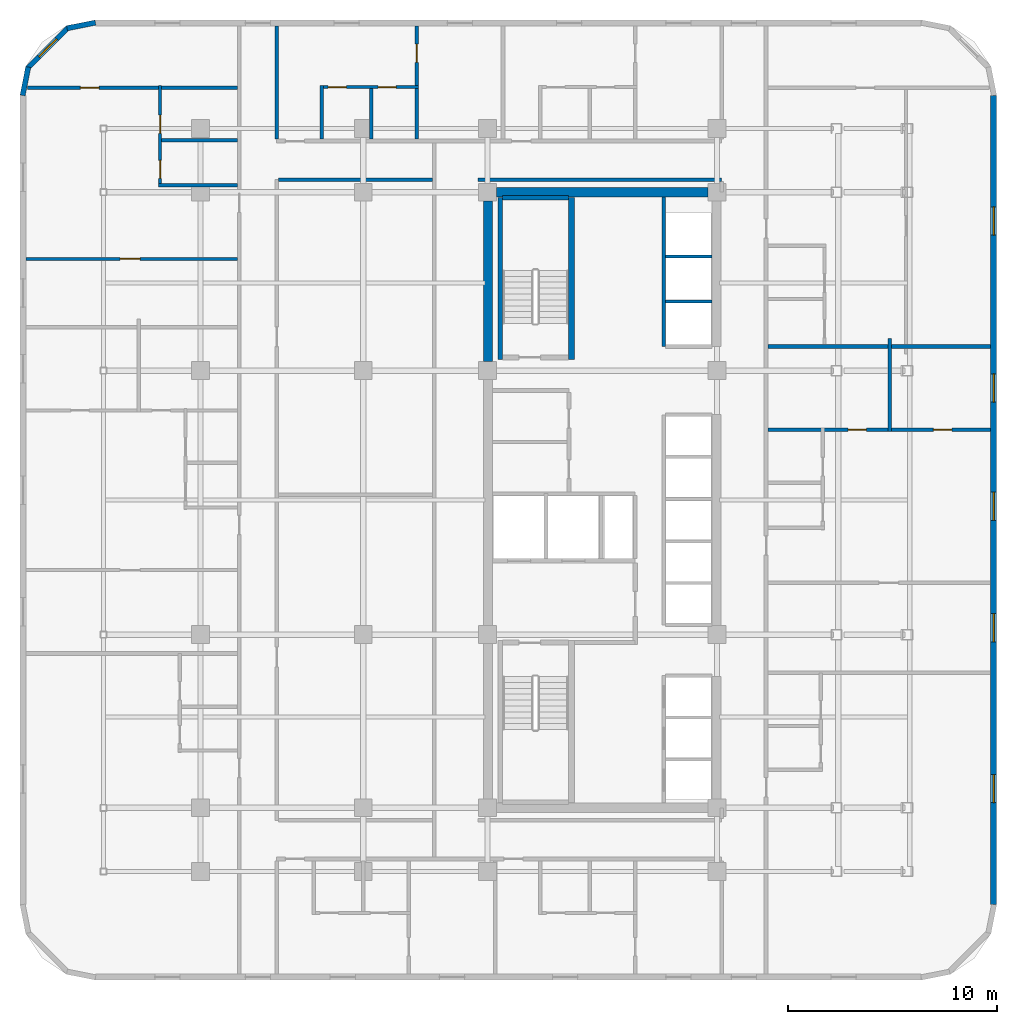
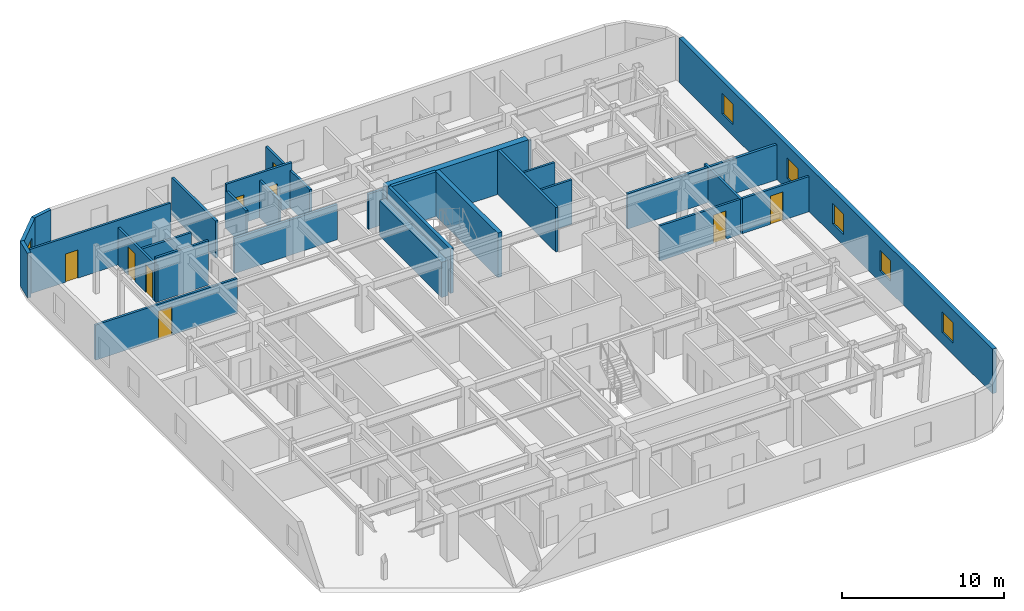
# One storey, part 9 of 12: 27 walls, 9 doors, 6 windows, 15 openings.
"""IFC4 building model written with IfcOpenShell, lengths in metres."""

import ifcopenshell
import ifcopenshell.guid

model = None  # the IFC model being written
_history = None  # IfcOwnerHistory: only IFC2X3 demands one
_inside = {}  # id of a spatial element -> (the spatial element, [elements in it])
_under = {}  # id of a project, library or spatial element -> (it, [spatial elements below it])
_declared = {}  # id of a project -> (the project, [libraries it declares])
_typed = {}  # id of a type object -> (the type object, [elements of that type])
_made_of = {}  # id of a material, layer set ... -> (it, [elements and type objects made of it])


def new_model(schema):
    """Start an empty IFC model of exactly this schema.

    Asked for "IFC4X3", IfcOpenShell would pick the latest addendum, in which some entities
    have other attributes; the version numbers below select the first issue.
    IFC2X3 requires an IfcOwnerHistory on every rooted entity: one is made here for all.
    """
    global model, _history
    if schema == "IFC4X3":
        model = ifcopenshell.file(schema_version=(4, 3, 0, 0))
    else:
        model = ifcopenshell.file(schema=schema)
    _inside.clear()
    _under.clear()
    _declared.clear()
    _typed.clear()
    _made_of.clear()
    _history = None
    if model.schema == "IFC2X3":
        org = make("IfcOrganization", Name="unknown")
        user = make(
            "IfcPersonAndOrganization",
            ThePerson=make("IfcPerson", FamilyName="unknown"),
            TheOrganization=org,
        )
        app = make(
            "IfcApplication",
            ApplicationDeveloper=org,
            Version="unknown",
            ApplicationFullName="unknown",
            ApplicationIdentifier="unknown",
        )
        _history = make(
            "IfcOwnerHistory",
            OwningUser=user,
            OwningApplication=app,
            ChangeAction="ADDED",
            CreationDate=0,
        )
    return model


def make(cls, **values):
    """One entity of the class cls with the attributes given. An attribute that is None is left unset."""
    return model.create_entity(
        cls, **{name: value for name, value in values.items() if value is not None}
    )


def rooted(cls, **values):
    """An entity with a GlobalId (a new one), such as an element, a storey or a relation."""
    return make(cls, GlobalId=ifcopenshell.guid.new(), OwnerHistory=_history, **values)


def si_unit(unit_type, name, prefix=None):
    """IfcSIUnit, for example si_unit("LENGTHUNIT", "METRE", prefix="MILLI")."""
    return make("IfcSIUnit", UnitType=unit_type, Prefix=prefix, Name=name)


def assignment(units):
    """IfcUnitAssignment: the units of a project."""
    return None if units is None else make("IfcUnitAssignment", Units=units)


def point(xyz):
    """IfcCartesianPoint."""
    return None if xyz is None else make("IfcCartesianPoint", Coordinates=xyz)


def direction(xyz):
    """IfcDirection."""
    return None if xyz is None else make("IfcDirection", DirectionRatios=xyz)


def frame(location, z_axis=None, x_axis=None):
    """IfcAxis2Placement3D, a coordinate frame: its origin and axes. An axis left out is left unset."""
    return make(
        "IfcAxis2Placement3D",
        Location=point(location),
        Axis=direction(z_axis),
        RefDirection=direction(x_axis),
    )


def frame_2d(location, x_axis=None):
    """IfcAxis2Placement2D, a coordinate frame in the plane: its origin and x axis."""
    return make(
        "IfcAxis2Placement2D", Location=point(location), RefDirection=direction(x_axis)
    )


def origin():
    """The frame at (0, 0, 0) with its axes left unset."""
    return frame((0.0, 0.0, 0.0))


def place(relative_to, where):
    """IfcLocalPlacement: puts the frame where relative to a parent placement (None: the world)."""
    return make(
        "IfcLocalPlacement", PlacementRelTo=relative_to, RelativePlacement=where
    )


def context(
    kind, dimensions, precision=None, world=None, true_north=None, identifier=None
):
    """IfcGeometricRepresentationContext, for example the 3D "Model" context."""
    return make(
        "IfcGeometricRepresentationContext",
        ContextIdentifier=identifier,
        ContextType=kind,
        CoordinateSpaceDimension=dimensions,
        Precision=precision,
        WorldCoordinateSystem=world,
        TrueNorth=true_north,
    )


def subcontext(parent, identifier, kind, view, scale=None):
    """IfcGeometricRepresentationSubContext, for example "Body" below "Model"."""
    return make(
        "IfcGeometricRepresentationSubContext",
        ContextIdentifier=identifier,
        ContextType=kind,
        ParentContext=parent,
        TargetScale=scale,
        TargetView=view,
    )


def project(units=None, contexts=None):
    """IfcProject with its units and contexts."""
    return rooted(
        "IfcProject",
        Name="project",
        RepresentationContexts=contexts,
        UnitsInContext=assignment(units),
    )


def spatial(cls, under=None, at=None, **own):
    """A site, building, storey or space (cls), placed at a placement, below another one or the project."""
    s = rooted(cls, ObjectPlacement=at, **own)
    if under is not None:
        _under.setdefault(under.id(), (under, []))[1].append(s)
    return s


def profile(cls, at=None, kind="AREA", **sizes):
    """A parametric profile (cls). Its sizes go by their IFC names, for example OverallWidth=200.0."""
    return make(cls, ProfileType=kind, Position=at, **sizes)


def rectangle(**sizes):
    """IfcRectangleProfileDef."""
    return profile("IfcRectangleProfileDef", **sizes)


def extrude(swept, where, along, depth):
    """IfcExtrudedAreaSolid: the profile swept, set in the frame where, extruded along a direction by depth."""
    return make(
        "IfcExtrudedAreaSolid",
        SweptArea=swept,
        Position=where,
        ExtrudedDirection=direction(along),
        Depth=depth,
    )


def shape(context_of_items, identifier, shape_type, items):
    """IfcShapeRepresentation: the items that make up one representation, for example the "Body"."""
    return make(
        "IfcShapeRepresentation",
        ContextOfItems=context_of_items,
        RepresentationIdentifier=identifier,
        RepresentationType=shape_type,
        Items=items,
    )


def material(Name=None, Category=None):
    """IfcMaterial."""
    return make("IfcMaterial", Name=Name, Category=Category)


def layer(
    of_material, thickness, ventilated=None, Name=None, Category=None, Priority=None
):
    """IfcMaterialLayer: one layer of a wall or slab, of a material (None: an air gap)."""
    return make(
        "IfcMaterialLayer",
        Material=of_material,
        LayerThickness=thickness,
        IsVentilated=ventilated,
        Name=Name,
        Category=Category,
        Priority=Priority,
    )


def layer_set(layers, Name=None):
    """IfcMaterialLayerSet."""
    return make("IfcMaterialLayerSet", MaterialLayers=layers, LayerSetName=Name)


def made_of(thing, what):
    """Note that an element or type object is made of a material, layer set ...; save() writes the relation."""
    if what is not None:
        _made_of.setdefault(what.id(), (what, []))[1].append(thing)
    return thing


def type_object(cls, material=None, **own):
    """A type object (cls), such as IfcWallType, which elements share."""
    return made_of(rooted(cls, **own), material)


def element(
    cls,
    number,
    at=None,
    inside=None,
    cuts=None,
    type_object=None,
    material=None,
    context=None,
    identifier="Body",
    shape_type=None,
    held_by="IfcProductDefinitionShape",
    body=None,
    shapes=None,
    **own,
):
    """One element of the class cls, such as IfcWall. Its Tag is "e" and its number.

    at: its placement. inside: the storey or other place that contains it. cuts: it is an
    opening in that element (IfcRelVoidsElement). A single representation is given by context,
    identifier, shape_type and body (its items); several are given by shapes. held_by: the class
    of the entity that holds the representations. save() writes the other relations.
    """
    e = rooted(cls, Tag="e%d" % number, ObjectPlacement=at, **own)
    if body is not None:
        shapes = [shape(context, identifier, shape_type, body)]
    if shapes is not None:
        e.Representation = make(held_by, Representations=shapes)
    if inside is not None:
        _inside.setdefault(inside.id(), (inside, []))[1].append(e)
    if cuts is not None:
        rooted(
            "IfcRelVoidsElement", RelatingBuildingElement=cuts, RelatedOpeningElement=e
        )
    if type_object is not None:
        _typed.setdefault(type_object.id(), (type_object, []))[1].append(e)
    return made_of(e, material)


def fill(opening, filler):
    """IfcRelFillsElement: the door or window that sits in an opening."""
    return rooted(
        "IfcRelFillsElement",
        RelatingOpeningElement=opening,
        RelatedBuildingElement=filler,
    )


def aggregate(whole, parts):
    """IfcRelAggregates: a whole, such as a stair, and the parts it consists of."""
    return rooted("IfcRelAggregates", RelatingObject=whole, RelatedObjects=parts)


def save(model, path):
    """Write the relations noted so far, then the file.

    IfcRelAggregates (storeys below a building ...), IfcRelContainedInSpatialStructure (elements
    in a storey), IfcRelDefinesByType, IfcRelAssociatesMaterial and IfcRelDeclares: one each for
    every whole, place, type object, material and project.
    """
    for whole, parts in _under.values():
        aggregate(whole, parts)
    for where, things in _inside.values():
        rooted(
            "IfcRelContainedInSpatialStructure",
            RelatedElements=things,
            RelatingStructure=where,
        )
    for kind, things in _typed.values():
        rooted("IfcRelDefinesByType", RelatedObjects=things, RelatingType=kind)
    for what, things in _made_of.values():
        rooted("IfcRelAssociatesMaterial", RelatedObjects=things, RelatingMaterial=what)
    for by, libraries in _declared.values():
        rooted("IfcRelDeclares", RelatingContext=by, RelatedDefinitions=libraries)
    model.write(path)


model = new_model("IFC4")

# Units and contexts
model_context = context("Model", 3, precision=1e-05, world=origin(), true_north=direction((0.0, 1.0)))
body_context = subcontext(model_context, "Body", "Model", "MODEL_VIEW")
ifc_project = project(units=[si_unit("LENGTHUNIT", "METRE"), si_unit("AREAUNIT", "SQUARE_METRE"), si_unit("VOLUMEUNIT", "CUBIC_METRE"), si_unit("PLANEANGLEUNIT", "RADIAN"), si_unit("MASSUNIT", "GRAM", prefix="KILO")], contexts=[model_context])

# Site, building, storey
site_placement = place(None, origin())
site = spatial("IfcSite", under=ifc_project, at=site_placement, CompositionType="ELEMENT")
building_placement = place(site_placement, origin())
building = spatial("IfcBuilding", under=site, at=building_placement, Name="Ochreholt Gables", CompositionType="ELEMENT")
storey_placement = place(building_placement, frame((0.0, 0.0, 27.60009765625)))
storey = spatial("IfcBuildingStorey", under=building, at=storey_placement, Name="L06", CompositionType="ELEMENT", Elevation=27.60009765625)

# Walls
ifc_material_1 = material(Name="Concrete 60 MPa", Category="concrete")
ifc_layer_1 = layer(ifc_material_1, 0.449951171875, Name="Concrete 60 MPa")
ifc_layer_set_1 = layer_set([ifc_layer_1], Name="Concrete 60 MPa")
wall_type_1 = type_object("IfcWallType", Name="WALL-CSW-450", PredefinedType="SHEAR", material=ifc_layer_set_1)
wall_1_placement = place(storey_placement, frame((24.22509765625, 30.625, 0.0), z_axis=(0.0, 0.0, 1.0), x_axis=(0.0, 1.0, 0.0)))
element("IfcWall", 1, at=wall_1_placement, inside=storey, type_object=wall_type_1, Name="L06 Core West Shear Wall WN", PredefinedType="SHEAR", context=body_context, shape_type="SweptSolid", body=[
    extrude(rectangle(XDim=7.699951171875, YDim=0.449951171875, at=frame_2d((3.85009765625, 0.0))), origin(), (0.0, 0.0, 1.0), 2.6669921875),
])
wall_2_placement = place(storey_placement, frame((24.625, 38.75, 0.0), z_axis=(0.0, 0.0, 1.0), x_axis=(1.0, 0.0, 0.0)))
element("IfcWall", 2, at=wall_2_placement, inside=storey, type_object=wall_type_1, Name="L06 Core North Shear Wall", PredefinedType="SHEAR", context=body_context, shape_type="SweptSolid", body=[
    extrude(rectangle(XDim=10.14990234375, YDim=0.449951171875, at=frame_2d((5.074951171875, 0.0))), origin(), (0.0, 0.0, 1.0), 3.35986328125),
])

# Wall, openings, windows
ifc_material_2 = material(Name="Precast concrete 40 MPa", Category="concrete")
ifc_layer_2 = layer(ifc_material_2, 0.2900390625, Name="Precast concrete 40 MPa")
ifc_layer_set_2 = layer_set([ifc_layer_2], Name="Precast concrete 40 MPa")
wall_type_2 = type_object("IfcWallType", Name="WALL-EXT-290", PredefinedType="SOLIDWALL", material=ifc_layer_set_2)
wall_3_placement = place(storey_placement, frame((48.455078125, 4.6201171875, 0.0), z_axis=(0.0, 0.0, 1.0), x_axis=(0.0, 1.0, 0.0)))
wall_3 = element("IfcWall", 3, at=wall_3_placement, inside=storey, type_object=wall_type_2, Name="L06 East Exterior Wall", PredefinedType="SOLIDWALL", context=body_context, shape_type="SweptSolid", body=[
    extrude(rectangle(XDim=38.759765625, YDim=0.2900390625, at=frame_2d((19.3798828125, 0.0))), origin(), (0.0, 0.0, 1.0), 3.35986328125),
])
opening_1_placement = place(wall_3_placement, frame((4.875, 0.0, 0.85009765625)))
opening_1 = element("IfcOpeningElement", 4, at=opening_1_placement, cuts=wall_3, Name="Opening WN-8", PredefinedType="OPENING", context=body_context, shape_type="SweptSolid", body=[
    extrude(rectangle(XDim=1.35009765625, YDim=1.550048828125, at=frame_2d((0.675048828125, 0.77490234375))), frame((0.0, 0.155029296875, 0.0), z_axis=(0.0, -1.0, 0.0), x_axis=(1.0, 0.0, 0.0)), (0.0, 0.0, 1.0), 0.31005859375),
])
opening_2_placement = place(wall_3_placement, frame((12.579345703125, 0.0, 0.85009765625)))
opening_2 = element("IfcOpeningElement", 5, at=opening_2_placement, cuts=wall_3, Name="Opening WN-8", PredefinedType="OPENING", context=body_context, shape_type="SweptSolid", body=[
    extrude(rectangle(XDim=1.35009765625, YDim=1.550048828125, at=frame_2d((0.675048828125, 0.77490234375))), frame((0.0, 0.155029296875, 0.0), z_axis=(0.0, -1.0, 0.0), x_axis=(1.0, 0.0, 0.0)), (0.0, 0.0, 1.0), 0.31005859375),
])
opening_3_placement = place(wall_3_placement, frame((18.404296875, 0.0, 0.85009765625)))
opening_3 = element("IfcOpeningElement", 6, at=opening_3_placement, cuts=wall_3, Name="Opening WN-8", PredefinedType="OPENING", context=body_context, shape_type="SweptSolid", body=[
    extrude(rectangle(XDim=1.35009765625, YDim=1.550048828125, at=frame_2d((0.675048828125, 0.77490234375))), frame((0.0, 0.155029296875, 0.0), z_axis=(0.0, -1.0, 0.0), x_axis=(1.0, 0.0, 0.0)), (0.0, 0.0, 1.0), 0.31005859375),
])
opening_4_placement = place(wall_3_placement, frame((24.070068359375, 0.0, 0.85009765625)))
opening_4 = element("IfcOpeningElement", 7, at=opening_4_placement, cuts=wall_3, Name="Opening WN-8", PredefinedType="OPENING", context=body_context, shape_type="SweptSolid", body=[
    extrude(rectangle(XDim=1.35009765625, YDim=1.550048828125, at=frame_2d((0.675048828125, 0.77490234375))), frame((0.0, 0.155029296875, 0.0), z_axis=(0.0, -1.0, 0.0), x_axis=(1.0, 0.0, 0.0)), (0.0, 0.0, 1.0), 0.31005859375),
])
opening_5_placement = place(wall_3_placement, frame((32.074951171875, 0.0, 0.85009765625)))
opening_5 = element("IfcOpeningElement", 8, at=opening_5_placement, cuts=wall_3, Name="Opening WN-8", PredefinedType="OPENING", context=body_context, shape_type="SweptSolid", body=[
    extrude(rectangle(XDim=1.35009765625, YDim=1.550048828125, at=frame_2d((0.675048828125, 0.77490234375))), frame((0.0, 0.155029296875, 0.0), z_axis=(0.0, -1.0, 0.0), x_axis=(1.0, 0.0, 0.0)), (0.0, 0.0, 1.0), 0.31005859375),
])
ifc_material_3 = material(Name="Triple-Glazed Thermally Broken Aluminium Window", Category="aluminium")
window_type_1 = type_object("IfcWindowType", Name="WIN-RES-1350", PartitioningType="SINGLE_PANEL", PredefinedType="WINDOW", material=ifc_material_3)
window_1_placement = place(opening_1_placement, origin())
window_1 = element("IfcWindow", 9, at=window_1_placement, inside=storey, type_object=window_type_1, Name="L06 Window W-EXT-E-L06-1", OverallHeight=1.550048828125, OverallWidth=1.35009765625, PartitioningType="SINGLE_PANEL", PredefinedType="WINDOW", context=body_context, shape_type="SweptSolid", body=[
    extrude(rectangle(XDim=1.35009765625, YDim=1.550048828125, at=frame_2d((0.675048828125, 0.77490234375))), frame((0.0, 0.030029296875, 0.0), z_axis=(0.0, -1.0, 0.0), x_axis=(1.0, 0.0, 0.0)), (0.0, 0.0, 1.0), 0.06005859375),
])
fill(opening_1, window_1)
window_2_placement = place(opening_2_placement, origin())
window_2 = element("IfcWindow", 10, at=window_2_placement, inside=storey, type_object=window_type_1, Name="L06 Window W-EXT-E-L06-2", OverallHeight=1.550048828125, OverallWidth=1.35009765625, PartitioningType="SINGLE_PANEL", PredefinedType="WINDOW", context=body_context, shape_type="SweptSolid", body=[
    extrude(rectangle(XDim=1.35009765625, YDim=1.550048828125, at=frame_2d((0.675048828125, 0.77490234375))), frame((0.0, 0.030029296875, 0.0), z_axis=(0.0, -1.0, 0.0), x_axis=(1.0, 0.0, 0.0)), (0.0, 0.0, 1.0), 0.06005859375),
])
fill(opening_2, window_2)
window_3_placement = place(opening_3_placement, origin())
window_3 = element("IfcWindow", 11, at=window_3_placement, inside=storey, type_object=window_type_1, Name="L06 Window W-EXT-E-L06-3", OverallHeight=1.550048828125, OverallWidth=1.35009765625, PartitioningType="SINGLE_PANEL", PredefinedType="WINDOW", context=body_context, shape_type="SweptSolid", body=[
    extrude(rectangle(XDim=1.35009765625, YDim=1.550048828125, at=frame_2d((0.675048828125, 0.77490234375))), frame((0.0, 0.030029296875, 0.0), z_axis=(0.0, -1.0, 0.0), x_axis=(1.0, 0.0, 0.0)), (0.0, 0.0, 1.0), 0.06005859375),
])
fill(opening_3, window_3)
window_4_placement = place(opening_4_placement, origin())
window_4 = element("IfcWindow", 12, at=window_4_placement, inside=storey, type_object=window_type_1, Name="L06 Window W-EXT-E-L06-4", OverallHeight=1.550048828125, OverallWidth=1.35009765625, PartitioningType="SINGLE_PANEL", PredefinedType="WINDOW", context=body_context, shape_type="SweptSolid", body=[
    extrude(rectangle(XDim=1.35009765625, YDim=1.550048828125, at=frame_2d((0.675048828125, 0.77490234375))), frame((0.0, 0.030029296875, 0.0), z_axis=(0.0, -1.0, 0.0), x_axis=(1.0, 0.0, 0.0)), (0.0, 0.0, 1.0), 0.06005859375),
])
fill(opening_4, window_4)
window_5_placement = place(opening_5_placement, origin())
window_5 = element("IfcWindow", 13, at=window_5_placement, inside=storey, type_object=window_type_1, Name="L06 Window W-EXT-E-L06-5", OverallHeight=1.550048828125, OverallWidth=1.35009765625, PartitioningType="SINGLE_PANEL", PredefinedType="WINDOW", context=body_context, shape_type="SweptSolid", body=[
    extrude(rectangle(XDim=1.35009765625, YDim=1.550048828125, at=frame_2d((0.675048828125, 0.77490234375))), frame((0.0, 0.030029296875, 0.0), z_axis=(0.0, -1.0, 0.0), x_axis=(1.0, 0.0, 0.0)), (0.0, 0.0, 1.0), 0.06005859375),
])
fill(opening_5, window_5)

# Wall
ifc_layer_3 = layer(ifc_material_2, 0.25, Name="Precast concrete 40 MPa")
ifc_layer_set_3 = layer_set([ifc_layer_3], Name="Precast concrete 40 MPa")
wall_type_3 = type_object("IfcWallType", Name="WALL-EXT-CNR", PredefinedType="SOLIDWALL", material=ifc_layer_set_3)
wall_4_placement = place(storey_placement, frame((5.41650390625, 46.875732421875, 0.0), z_axis=(0.0, 0.0, 1.0), x_axis=(-0.980809899341, -0.19496651342, 0.0)))
element("IfcWall", 14, at=wall_4_placement, inside=storey, type_object=wall_type_3, Name="L06 Rounded Corner Wall NW-1", PredefinedType="SOLIDWALL", context=body_context, shape_type="SweptSolid", body=[
    extrude(rectangle(XDim=1.388671875, YDim=0.25, at=frame_2d((0.6943359375, 0.0))), origin(), (0.0, 0.0, 1.0), 3.35986328125),
])

# Wall, opening, window
wall_5_placement = place(storey_placement, frame((4.10498046875, 46.632080078125, 0.0), z_axis=(0.0, 0.0, 1.0), x_axis=(-0.707106781187, -0.707106781187, 0.0)))
wall_5 = element("IfcWall", 15, at=wall_5_placement, inside=storey, type_object=wall_type_3, Name="L06 Rounded Corner Wall NW-2", PredefinedType="SOLIDWALL", context=body_context, shape_type="SweptSolid", body=[
    extrude(rectangle(XDim=2.7392578125, YDim=0.25, at=frame_2d((1.36962890625, 0.0))), origin(), (0.0, 0.0, 1.0), 3.35986328125),
])
opening_6_placement = place(wall_5_placement, frame((0.769775390625, 0.0, 0.85009765625)))
opening_6 = element("IfcOpeningElement", 16, at=opening_6_placement, cuts=wall_5, Name="Opening WN-3", PredefinedType="OPENING", context=body_context, shape_type="SweptSolid", body=[
    extrude(rectangle(XDim=1.199951171875, YDim=1.5, at=frame_2d((0.60009765625, 0.75))), frame((0.0, 0.135009765625, 0.0), z_axis=(0.0, -1.0, 0.0), x_axis=(1.0, 0.0, 0.0)), (0.0, 0.0, 1.0), 0.27001953125),
])
window_type_2 = type_object("IfcWindowType", Name="WIN-RES-1200", PartitioningType="SINGLE_PANEL", PredefinedType="WINDOW", material=ifc_material_3)
window_6_placement = place(opening_6_placement, origin())
window_6 = element("IfcWindow", 17, at=window_6_placement, inside=storey, type_object=window_type_2, Name="L06 Corner Bedroom Window NW", OverallHeight=1.5, OverallWidth=1.199951171875, PartitioningType="SINGLE_PANEL", PredefinedType="WINDOW", context=body_context, shape_type="SweptSolid", body=[
    extrude(rectangle(XDim=1.199951171875, YDim=1.5, at=frame_2d((0.60009765625, 0.75))), frame((0.0, 0.030029296875, 0.0), z_axis=(0.0, -1.0, 0.0), x_axis=(1.0, 0.0, 0.0)), (0.0, 0.0, 1.0), 0.06005859375),
])
fill(opening_6, window_6)

# Walls
wall_6_placement = place(storey_placement, frame((2.195068359375, 44.74560546875, 0.0), z_axis=(0.0, 0.0, 1.0), x_axis=(-0.19496651342, -0.980809899341, 0.0)))
element("IfcWall", 18, at=wall_6_placement, inside=storey, type_object=wall_type_3, Name="L06 Rounded Corner Wall NW-3", PredefinedType="SOLIDWALL", context=body_context, shape_type="SweptSolid", body=[
    extrude(rectangle(XDim=1.388671875, YDim=0.25, at=frame_2d((0.6943359375, 0.0))), origin(), (0.0, 0.0, 1.0), 3.35986328125),
])
ifc_material_4 = material(Name="Fire-Rated Gypsum Acoustic Partition", Category="gypsum")
ifc_layer_4 = layer(ifc_material_4, 0.179931640625, Name="Fire-Rated Gypsum Acoustic Partition")
ifc_layer_set_4 = layer_set([ifc_layer_4], Name="Fire-Rated Gypsum Acoustic Partition")
wall_type_4 = type_object("IfcWallType", Name="WALL-INT-CR180", PredefinedType="STANDARD", material=ifc_layer_set_4)
wall_7_placement = place(storey_placement, frame((23.75, 39.35009765625, 0.0), z_axis=(0.0, 0.0, 1.0), x_axis=(1.0, 0.0, 0.0)))
element("IfcWall", 19, at=wall_7_placement, inside=storey, type_object=wall_type_4, Name="L06 Interior Wall WI-C1N2-L06", PredefinedType="STANDARD", context=body_context, shape_type="SweptSolid", body=[
    extrude(rectangle(XDim=11.669921875, YDim=0.179931640625, at=frame_2d((5.8349609375, 0.0))), origin(), (0.0, 0.0, 1.0), 2.64892578125),
])
wall_8_placement = place(storey_placement, frame((14.18994140625, 39.35009765625, 0.0), z_axis=(0.0, 0.0, 1.0), x_axis=(1.0, 0.0, 0.0)))
element("IfcWall", 20, at=wall_8_placement, inside=storey, type_object=wall_type_4, Name="L06 Interior Wall WI-C1N2W-L06", PredefinedType="STANDARD", context=body_context, shape_type="SweptSolid", body=[
    extrude(rectangle(XDim=7.3701171875, YDim=0.179931640625, at=frame_2d((3.68505859375, 0.0))), origin(), (0.0, 0.0, 1.0), 2.64892578125),
])
ifc_material_5 = material(Name="Double-Stud Acoustic Demising Wall", Category="gypsum")
ifc_layer_5 = layer(ifc_material_5, 0.179931640625, Name="Double-Stud Acoustic Demising Wall")
ifc_layer_set_5 = layer_set([ifc_layer_5], Name="Double-Stud Acoustic Demising Wall")
wall_type_5 = type_object("IfcWallType", Name="WALL-INT-DM180", PredefinedType="PARTITIONING", material=ifc_layer_set_5)
wall_9_placement = place(storey_placement, frame((14.10009765625, 41.2900390625, 0.0), z_axis=(0.0, 0.0, 1.0), x_axis=(0.0, 1.0, 0.0)))
element("IfcWall", 21, at=wall_9_placement, inside=storey, type_object=wall_type_5, Name="L06 Interior Wall WI-C1WNI-L06", PredefinedType="PARTITIONING", context=body_context, shape_type="SweptSolid", body=[
    extrude(rectangle(XDim=5.419921875, YDim=0.179931640625, at=frame_2d((2.7099609375, 0.0))), origin(), (0.0, 0.0, 1.0), 2.808837890625),
])
wall_10_placement = place(storey_placement, frame((37.639892578125, 31.360107421875, 0.0), z_axis=(0.0, 0.0, 1.0), x_axis=(1.0, 0.0, 0.0)))
element("IfcWall", 22, at=wall_10_placement, inside=storey, type_object=wall_type_5, Name="L06 Interior Wall WI-UDE3-L06", PredefinedType="PARTITIONING", context=body_context, shape_type="SweptSolid", body=[
    extrude(rectangle(XDim=10.670166015625, YDim=0.179931640625, at=frame_2d((5.3349609375, 0.0))), origin(), (0.0, 0.0, 1.0), 2.64892578125),
])
ifc_material_6 = material(Name="Moisture-Resistant Plumbing Chase Wall", Category="gypsum")
ifc_layer_6 = layer(ifc_material_6, 0.159912109375, Name="Moisture-Resistant Plumbing Chase Wall")
ifc_layer_set_6 = layer_set([ifc_layer_6], Name="Moisture-Resistant Plumbing Chase Wall")
wall_type_6 = type_object("IfcWallType", Name="WALL-INT-PL160", PredefinedType="PLUMBINGWALL", material=ifc_layer_set_6)
wall_11_placement = place(storey_placement, frame((8.429931640625, 39.08154296875, 0.0), z_axis=(0.0, 0.0, 1.0), x_axis=(1.0, 0.0, 0.0)))
element("IfcWall", 23, at=wall_11_placement, inside=storey, type_object=wall_type_6, Name="L06 Interior Wall WU-L06W3-FYS", PredefinedType="PLUMBINGWALL", context=body_context, shape_type="SweptSolid", body=[
    extrude(rectangle(XDim=3.780029296875, YDim=0.159912109375, at=frame_2d((1.89013671875, 0.0))), origin(), (0.0, 0.0, 1.0), 3.35986328125),
])

# Wall, openings, doors
wall_12_placement = place(storey_placement, frame((8.510009765625, 38.991455078125, 0.0), z_axis=(0.0, 0.0, 1.0), x_axis=(0.0, 1.0, 0.0)))
wall_12 = element("IfcWall", 24, at=wall_12_placement, inside=storey, type_object=wall_type_6, Name="L06 Interior Wall WU-L06W3-WX", PredefinedType="PLUMBINGWALL", context=body_context, shape_type="SweptSolid", body=[
    extrude(rectangle(XDim=4.858642578125, YDim=0.159912109375, at=frame_2d((2.42919921875, 0.0))), origin(), (0.0, 0.0, 1.0), 2.808837890625),
])
opening_7_placement = place(wall_12_placement, frame((0.419921875, 0.0, 0.0)))
opening_7 = element("IfcOpeningElement", 25, at=opening_7_placement, cuts=wall_12, Name="Opening D-BT1", PredefinedType="OPENING", context=body_context, shape_type="SweptSolid", body=[
    extrude(rectangle(XDim=0.860107421875, YDim=2.1201171875, at=frame_2d((0.43017578125, 1.06005859375))), frame((0.0, 0.08984375, 0.0), z_axis=(0.0, -1.0, 0.0), x_axis=(1.0, 0.0, 0.0)), (0.0, 0.0, 1.0), 0.179931640625),
])
opening_8_placement = place(wall_12_placement, frame((2.572021484375, 0.0, 0.0)))
opening_8 = element("IfcOpeningElement", 26, at=opening_8_placement, cuts=wall_12, Name="Opening D-GN2", PredefinedType="OPENING", context=body_context, shape_type="SweptSolid", body=[
    extrude(rectangle(XDim=0.8798828125, YDim=2.1201171875, at=frame_2d((0.43994140625, 1.06005859375))), frame((0.0, 0.08984375, 0.0), z_axis=(0.0, -1.0, 0.0), x_axis=(1.0, 0.0, 0.0)), (0.0, 0.0, 1.0), 0.179931640625),
])
ifc_material_7 = material(Name="Engineered Oak Timber", Category="wood")
door_type_1 = type_object("IfcDoorType", Name="DR-INT-BTH860", OperationType="NOTDEFINED", PredefinedType="DOOR", material=ifc_material_7)
door_1_placement = place(opening_7_placement, origin())
door_1 = element("IfcDoor", 27, at=door_1_placement, inside=storey, type_object=door_type_1, Name="L06 Door D-U-L06W3-BTH", OperationType="SINGLE_SWING_RIGHT", OverallHeight=2.1201171875, OverallWidth=0.860107421875, PredefinedType="DOOR", context=body_context, shape_type="SweptSolid", body=[
    extrude(rectangle(XDim=0.860107421875, YDim=2.1201171875, at=frame_2d((0.43017578125, 1.06005859375))), frame((0.0, 0.02490234375, 0.0), z_axis=(0.0, -1.0, 0.0), x_axis=(1.0, 0.0, 0.0)), (0.0, 0.0, 1.0), 0.050048828125),
])
fill(opening_7, door_1)
door_type_2 = type_object("IfcDoorType", Name="DR-INT-GEN880", OperationType="NOTDEFINED", PredefinedType="DOOR", material=ifc_material_7)
door_2_placement = place(opening_8_placement, origin())
door_2 = element("IfcDoor", 28, at=door_2_placement, inside=storey, type_object=door_type_2, Name="L06 Door D-U-L06W3-KIT", OperationType="SINGLE_SWING_LEFT", OverallHeight=2.1201171875, OverallWidth=0.8798828125, PredefinedType="DOOR", context=body_context, shape_type="SweptSolid", body=[
    extrude(rectangle(XDim=0.8798828125, YDim=2.1201171875, at=frame_2d((0.43994140625, 1.06005859375))), frame((0.0, 0.02490234375, 0.0), z_axis=(0.0, -1.0, 0.0), x_axis=(1.0, 0.0, 0.0)), (0.0, 0.0, 1.0), 0.050048828125),
])
fill(opening_8, door_2)

# Wall
wall_13_placement = place(storey_placement, frame((8.590087890625, 41.233642578125, 0.0), z_axis=(0.0, 0.0, 1.0), x_axis=(1.0, 0.0, 0.0)))
element("IfcWall", 29, at=wall_13_placement, inside=storey, type_object=wall_type_6, Name="L06 Interior Wall WU-L06W3-WK", PredefinedType="PLUMBINGWALL", context=body_context, shape_type="SweptSolid", body=[
    extrude(rectangle(XDim=3.619873046875, YDim=0.159912109375, at=frame_2d((1.81005859375, 0.0))), origin(), (0.0, 0.0, 1.0), 2.64892578125),
])

# Wall, openings, doors
wall_14_placement = place(storey_placement, frame((16.1796875, 43.78759765625, 0.0), z_axis=(0.0, 0.0, 1.0), x_axis=(1.0, 0.0, 0.0)))
wall_14 = element("IfcWall", 30, at=wall_14_placement, inside=storey, type_object=wall_type_6, Name="L06 Interior Wall WU-L06N1-WY", PredefinedType="PLUMBINGWALL", context=body_context, shape_type="SweptSolid", body=[
    extrude(rectangle(XDim=4.7099609375, YDim=0.159912109375, at=frame_2d((2.35498046875, 0.0))), origin(), (0.0, 0.0, 1.0), 3.35986328125),
])
opening_9_placement = place(wall_14_placement, frame((0.3798828125, 0.0, 0.0)))
opening_9 = element("IfcOpeningElement", 31, at=opening_9_placement, cuts=wall_14, Name="Opening D-GN2", PredefinedType="OPENING", context=body_context, shape_type="SweptSolid", body=[
    extrude(rectangle(XDim=0.8798828125, YDim=2.1201171875, at=frame_2d((0.43994140625, 1.06005859375))), frame((0.0, 0.08984375, 0.0), z_axis=(0.0, -1.0, 0.0), x_axis=(1.0, 0.0, 0.0)), (0.0, 0.0, 1.0), 0.179931640625),
])
opening_10_placement = place(wall_14_placement, frame((2.785888671875, 0.0, 0.0)))
opening_10 = element("IfcOpeningElement", 32, at=opening_10_placement, cuts=wall_14, Name="Opening D-BT1", PredefinedType="OPENING", context=body_context, shape_type="SweptSolid", body=[
    extrude(rectangle(XDim=0.860107421875, YDim=2.1201171875, at=frame_2d((0.43017578125, 1.06005859375))), frame((0.0, 0.08984375, 0.0), z_axis=(0.0, -1.0, 0.0), x_axis=(1.0, 0.0, 0.0)), (0.0, 0.0, 1.0), 0.179931640625),
])
door_3_placement = place(opening_10_placement, origin())
door_3 = element("IfcDoor", 33, at=door_3_placement, inside=storey, type_object=door_type_1, Name="L06 Door D-U-L06N1-BTH", OperationType="SINGLE_SWING_LEFT", OverallHeight=2.1201171875, OverallWidth=0.860107421875, PredefinedType="DOOR", context=body_context, shape_type="SweptSolid", body=[
    extrude(rectangle(XDim=0.860107421875, YDim=2.1201171875, at=frame_2d((0.43017578125, 1.06005859375))), frame((0.0, 0.02490234375, 0.0), z_axis=(0.0, -1.0, 0.0), x_axis=(1.0, 0.0, 0.0)), (0.0, 0.0, 1.0), 0.050048828125),
])
fill(opening_10, door_3)
door_4_placement = place(opening_9_placement, origin())
door_4 = element("IfcDoor", 34, at=door_4_placement, inside=storey, type_object=door_type_2, Name="L06 Door D-U-L06N1-KIT", OperationType="SINGLE_SWING_RIGHT", OverallHeight=2.1201171875, OverallWidth=0.8798828125, PredefinedType="DOOR", context=body_context, shape_type="SweptSolid", body=[
    extrude(rectangle(XDim=0.8798828125, YDim=2.1201171875, at=frame_2d((0.43994140625, 1.06005859375))), frame((0.0, 0.02490234375, 0.0), z_axis=(0.0, -1.0, 0.0), x_axis=(1.0, 0.0, 0.0)), (0.0, 0.0, 1.0), 0.050048828125),
])
fill(opening_9, door_4)

# Walls
wall_15_placement = place(storey_placement, frame((16.259521484375, 41.2900390625, 0.0), z_axis=(0.0, 0.0, 1.0), x_axis=(0.0, 1.0, 0.0)))
element("IfcWall", 35, at=wall_15_placement, inside=storey, type_object=wall_type_6, Name="L06 Interior Wall WU-L06N1-FY", PredefinedType="PLUMBINGWALL", context=body_context, shape_type="SweptSolid", body=[
    extrude(rectangle(XDim=2.577392578125, YDim=0.159912109375, at=frame_2d((1.28857421875, 0.0))), origin(), (0.0, 0.0, 1.0), 2.808837890625),
])
wall_16_placement = place(storey_placement, frame((18.62548828125, 41.2900390625, 0.0), z_axis=(0.0, 0.0, 1.0), x_axis=(0.0, 1.0, 0.0)))
element("IfcWall", 36, at=wall_16_placement, inside=storey, type_object=wall_type_6, Name="L06 Interior Wall WU-L06N1-WK", PredefinedType="PLUMBINGWALL", context=body_context, shape_type="SweptSolid", body=[
    extrude(rectangle(XDim=2.41748046875, YDim=0.159912109375, at=frame_2d((1.208740234375, 0.0))), origin(), (0.0, 0.0, 1.0), 2.808837890625),
])

# Wall, openings, doors
ifc_material_8 = material(Name="Gypsum Acoustic Stud Partition", Category="gypsum")
ifc_layer_7 = layer(ifc_material_8, 0.159912109375, Name="Gypsum Acoustic Stud Partition")
ifc_layer_set_7 = layer_set([ifc_layer_7], Name="Gypsum Acoustic Stud Partition")
wall_type_7 = type_object("IfcWallType", Name="WALL-INT-PT160", PredefinedType="PARTITIONING", material=ifc_layer_set_7)
wall_17_placement = place(storey_placement, frame((37.639892578125, 27.3701171875, 0.0), z_axis=(0.0, 0.0, 1.0), x_axis=(1.0, 0.0, 0.0)))
wall_17 = element("IfcWall", 37, at=wall_17_placement, inside=storey, type_object=wall_type_7, Name="L06 Interior Wall WU-L06E2-MN", PredefinedType="PARTITIONING", context=body_context, shape_type="SweptSolid", body=[
    extrude(rectangle(XDim=10.670166015625, YDim=0.159912109375, at=frame_2d((5.3349609375, 0.0))), origin(), (0.0, 0.0, 1.0), 2.64892578125),
])
opening_11_placement = place(wall_17_placement, frame((3.839599609375, 0.0, 0.0)))
opening_11 = element("IfcOpeningElement", 38, at=opening_11_placement, cuts=wall_17, Name="Opening D-BD2", PredefinedType="OPENING", context=body_context, shape_type="SweptSolid", body=[
    extrude(rectangle(XDim=0.8798828125, YDim=2.139892578125, at=frame_2d((0.43994140625, 1.06982421875))), frame((0.0, 0.08984375, 0.0), z_axis=(0.0, -1.0, 0.0), x_axis=(1.0, 0.0, 0.0)), (0.0, 0.0, 1.0), 0.179931640625),
])
opening_12_placement = place(wall_17_placement, frame((7.9287109375, 0.0, 0.0)))
opening_12 = element("IfcOpeningElement", 39, at=opening_12_placement, cuts=wall_17, Name="Opening D-BD2", PredefinedType="OPENING", context=body_context, shape_type="SweptSolid", body=[
    extrude(rectangle(XDim=0.8798828125, YDim=2.139892578125, at=frame_2d((0.43994140625, 1.06982421875))), frame((0.0, 0.08984375, 0.0), z_axis=(0.0, -1.0, 0.0), x_axis=(1.0, 0.0, 0.0)), (0.0, 0.0, 1.0), 0.179931640625),
])
door_type_3 = type_object("IfcDoorType", Name="DR-INT-BED880", OperationType="NOTDEFINED", PredefinedType="DOOR", material=ifc_material_7)
door_5_placement = place(opening_11_placement, origin())
door_5 = element("IfcDoor", 40, at=door_5_placement, inside=storey, type_object=door_type_3, Name="L06 Door D-U-L06E2-BD1", OperationType="SINGLE_SWING_LEFT", OverallHeight=2.139892578125, OverallWidth=0.8798828125, PredefinedType="DOOR", context=body_context, shape_type="SweptSolid", body=[
    extrude(rectangle(XDim=0.8798828125, YDim=2.139892578125, at=frame_2d((0.43994140625, 1.06982421875))), frame((0.0, 0.02490234375, 0.0), z_axis=(0.0, -1.0, 0.0), x_axis=(1.0, 0.0, 0.0)), (0.0, 0.0, 1.0), 0.050048828125),
])
fill(opening_11, door_5)
door_6_placement = place(opening_12_placement, origin())
door_6 = element("IfcDoor", 41, at=door_6_placement, inside=storey, type_object=door_type_3, Name="L06 Door D-U-L06E2-BD2", OperationType="SINGLE_SWING_RIGHT", OverallHeight=2.139892578125, OverallWidth=0.8798828125, PredefinedType="DOOR", context=body_context, shape_type="SweptSolid", body=[
    extrude(rectangle(XDim=0.8798828125, YDim=2.139892578125, at=frame_2d((0.43994140625, 1.06982421875))), frame((0.0, 0.02490234375, 0.0), z_axis=(0.0, -1.0, 0.0), x_axis=(1.0, 0.0, 0.0)), (0.0, 0.0, 1.0), 0.050048828125),
])
fill(opening_12, door_6)

# Wall
wall_18_placement = place(storey_placement, frame((43.477294921875, 27.2900390625, 0.0), z_axis=(0.0, 0.0, 1.0), x_axis=(0.0, 1.0, 0.0)))
element("IfcWall", 42, at=wall_18_placement, inside=storey, type_object=wall_type_7, Name="L06 Interior Wall WU-L06E2-BSD", PredefinedType="PARTITIONING", context=body_context, shape_type="SweptSolid", body=[
    extrude(rectangle(XDim=4.4599609375, YDim=0.159912109375, at=frame_2d((2.22998046875, 0.0))), origin(), (0.0, 0.0, 1.0), 2.64892578125),
])

# Wall, opening, door
wall_19_placement = place(storey_placement, frame((2.162109375, 43.760009765625, 0.0), z_axis=(0.0, 0.0, 1.0), x_axis=(1.0, 0.0, 0.0)))
wall_19 = element("IfcWall", 43, at=wall_19_placement, inside=storey, type_object=wall_type_7, Name="L06 Interior Wall WU-L06W3-MN", PredefinedType="PARTITIONING", context=body_context, shape_type="SweptSolid", body=[
    extrude(rectangle(XDim=10.0478515625, YDim=0.159912109375, at=frame_2d((5.02392578125, 0.0))), origin(), (0.0, 0.0, 1.0), 3.35986328125),
])
opening_13_placement = place(wall_19_placement, frame((2.52783203125, 0.0, 0.0)))
opening_13 = element("IfcOpeningElement", 44, at=opening_13_placement, cuts=wall_19, Name="Opening D-BD1", PredefinedType="OPENING", context=body_context, shape_type="SweptSolid", body=[
    extrude(rectangle(XDim=0.89990234375, YDim=2.139892578125, at=frame_2d((0.449951171875, 1.06982421875))), frame((0.0, 0.08984375, 0.0), z_axis=(0.0, -1.0, 0.0), x_axis=(1.0, 0.0, 0.0)), (0.0, 0.0, 1.0), 0.179931640625),
])
door_type_4 = type_object("IfcDoorType", Name="DR-INT-BED900", OperationType="NOTDEFINED", PredefinedType="DOOR", material=ifc_material_7)
door_7_placement = place(opening_13_placement, origin())
door_7 = element("IfcDoor", 45, at=door_7_placement, inside=storey, type_object=door_type_4, Name="L06 Door D-U-L06W3-BD1", OperationType="SINGLE_SWING_RIGHT", OverallHeight=2.139892578125, OverallWidth=0.89990234375, PredefinedType="DOOR", context=body_context, shape_type="SweptSolid", body=[
    extrude(rectangle(XDim=0.89990234375, YDim=2.139892578125, at=frame_2d((0.449951171875, 1.06982421875))), frame((0.0, 0.02490234375, 0.0), z_axis=(0.0, -1.0, 0.0), x_axis=(1.0, 0.0, 0.0)), (0.0, 0.0, 1.0), 0.050048828125),
])
fill(opening_13, door_7)

wall_20_placement = place(storey_placement, frame((2.090087890625, 35.550048828125, 0.0), z_axis=(0.0, 0.0, 1.0), x_axis=(1.0, 0.0, 0.0)))
wall_20 = element("IfcWall", 46, at=wall_20_placement, inside=storey, type_object=wall_type_7, Name="L06 Interior Wall WU-L06W3-DNW", PredefinedType="PARTITIONING", context=body_context, shape_type="SweptSolid", body=[
    extrude(rectangle(XDim=10.119873046875, YDim=0.159912109375, at=frame_2d((5.06005859375, 0.0))), origin(), (0.0, 0.0, 1.0), 2.64892578125),
])
opening_14_placement = place(wall_20_placement, frame((4.510009765625, 0.0, 0.0)))
opening_14 = element("IfcOpeningElement", 47, at=opening_14_placement, cuts=wall_20, Name="Opening D-GN1", PredefinedType="OPENING", context=body_context, shape_type="SweptSolid", body=[
    extrude(rectangle(XDim=0.949951171875, YDim=2.14990234375, at=frame_2d((0.47509765625, 1.074951171875))), frame((0.0, 0.08984375, 0.0), z_axis=(0.0, -1.0, 0.0), x_axis=(1.0, 0.0, 0.0)), (0.0, 0.0, 1.0), 0.179931640625),
])
door_type_5 = type_object("IfcDoorType", Name="DR-INT-GEN950", OperationType="NOTDEFINED", PredefinedType="DOOR", material=ifc_material_7)
door_8_placement = place(opening_14_placement, origin())
door_8 = element("IfcDoor", 48, at=door_8_placement, inside=storey, type_object=door_type_5, Name="L06 Door D-U-L06W3-DIN", OperationType="SINGLE_SWING_RIGHT", OverallHeight=2.14990234375, OverallWidth=0.949951171875, PredefinedType="DOOR", context=body_context, shape_type="SweptSolid", body=[
    extrude(rectangle(XDim=0.949951171875, YDim=2.14990234375, at=frame_2d((0.47509765625, 1.074951171875))), frame((0.0, 0.02490234375, 0.0), z_axis=(0.0, -1.0, 0.0), x_axis=(1.0, 0.0, 0.0)), (0.0, 0.0, 1.0), 0.050048828125),
])
fill(opening_14, door_8)

wall_21_placement = place(storey_placement, frame((20.8095703125, 41.2900390625, 0.0), z_axis=(0.0, 0.0, 1.0), x_axis=(0.0, 1.0, 0.0)))
wall_21 = element("IfcWall", 49, at=wall_21_placement, inside=storey, type_object=wall_type_7, Name="L06 Interior Wall WU-L06N1-MNX", PredefinedType="PARTITIONING", context=body_context, shape_type="SweptSolid", body=[
    extrude(rectangle(XDim=5.419921875, YDim=0.159912109375, at=frame_2d((2.7099609375, 0.0))), origin(), (0.0, 0.0, 1.0), 2.808837890625),
])
opening_15_placement = place(wall_21_placement, frame((3.6787109375, 0.0, 0.0)))
opening_15 = element("IfcOpeningElement", 50, at=opening_15_placement, cuts=wall_21, Name="Opening D-BD2", PredefinedType="OPENING", context=body_context, shape_type="SweptSolid", body=[
    extrude(rectangle(XDim=0.8798828125, YDim=2.139892578125, at=frame_2d((0.43994140625, 1.06982421875))), frame((0.0, 0.08984375, 0.0), z_axis=(0.0, -1.0, 0.0), x_axis=(1.0, 0.0, 0.0)), (0.0, 0.0, 1.0), 0.179931640625),
])
door_9_placement = place(opening_15_placement, origin())
door_9 = element("IfcDoor", 51, at=door_9_placement, inside=storey, type_object=door_type_3, Name="L06 Door D-U-L06N1-BD1", OperationType="SINGLE_SWING_RIGHT", OverallHeight=2.139892578125, OverallWidth=0.8798828125, PredefinedType="DOOR", context=body_context, shape_type="SweptSolid", body=[
    extrude(rectangle(XDim=0.8798828125, YDim=2.139892578125, at=frame_2d((0.43994140625, 1.06982421875))), frame((0.0, 0.02490234375, 0.0), z_axis=(0.0, -1.0, 0.0), x_axis=(1.0, 0.0, 0.0)), (0.0, 0.0, 1.0), 0.050048828125),
])
fill(opening_15, door_9)

# Walls
ifc_material_9 = material(Name="Gypsum Shaftliner and Steel Stud", Category="steel")
ifc_layer_8 = layer(ifc_material_9, 0.14990234375, Name="Gypsum Shaftliner and Steel Stud")
ifc_layer_set_8 = layer_set([ifc_layer_8], Name="Gypsum Shaftliner and Steel Stud")
wall_type_8 = type_object("IfcWallType", Name="WALL-INT-SH150", PredefinedType="STANDARD", material=ifc_layer_set_8)
for number, where, z_axis, x_axis, name in (
    (52, (32.739990234375, 33.52001953125, 0.0), (0.0, 0.0, 1.0), (1.0, 0.0, 0.0), "L06 Interior Wall WI-LFM-D1-L06"),
    (53, (32.739990234375, 35.669921875, 0.0), (0.0, 0.0, 1.0), (1.0, 0.0, 0.0), "L06 Interior Wall WI-LFM-D2-L06"),
):
    element("IfcWall", number, at=place(storey_placement, frame(where, z_axis=z_axis, x_axis=x_axis)), inside=storey, type_object=wall_type_8, Name=name, PredefinedType="STANDARD", context=body_context, shape_type="SweptSolid", body=[
        extrude(rectangle(XDim=2.2099609375, YDim=0.14990234375, at=frame_2d((1.10498046875, 0.0))), origin(), (0.0, 0.0, 1.0), 3.35986328125),
    ])
ifc_layer_9 = layer(ifc_material_9, 0.179931640625, Name="Gypsum Shaftliner and Steel Stud")
ifc_layer_set_9 = layer_set([ifc_layer_9], Name="Gypsum Shaftliner and Steel Stud")
wall_type_9 = type_object("IfcWallType", Name="WALL-INT-SH180", PredefinedType="STANDARD", material=ifc_layer_set_9)
wall_22_placement = place(storey_placement, frame((32.64990234375, 31.35009765625, 0.0), z_axis=(0.0, 0.0, 1.0), x_axis=(0.0, 1.0, 0.0)))
element("IfcWall", 54, at=wall_22_placement, inside=storey, type_object=wall_type_9, Name="L06 Interior Wall WI-LFM-FR-L06", PredefinedType="STANDARD", context=body_context, shape_type="SweptSolid", body=[
    extrude(rectangle(XDim=7.1748046875, YDim=0.179931640625, at=frame_2d((3.58740234375, 0.0))), origin(), (0.0, 0.0, 1.0), 3.35986328125),
])
ifc_layer_10 = layer(ifc_material_1, 0.300048828125, Name="Concrete 60 MPa")
ifc_layer_set_10 = layer_set([ifc_layer_10], Name="Concrete 60 MPa")
wall_type_10 = type_object("IfcWallType", Name="WALL-SPN-300", PredefinedType="SHEAR", material=ifc_layer_set_10)
wall_23_placement = place(storey_placement, frame((28.22998046875, 30.739990234375, 0.0), z_axis=(0.0, 0.0, 1.0), x_axis=(0.0, 1.0, 0.0)))
element("IfcWall", 55, at=wall_23_placement, inside=storey, type_object=wall_type_10, Name="L06 Core North Spine Shear Wall", PredefinedType="SHEAR", context=body_context, shape_type="SweptSolid", body=[
    extrude(rectangle(XDim=7.760009765625, YDim=0.300048828125, at=frame_2d((3.8798828125, 0.0))), origin(), (0.0, 0.0, 1.0), 3.35986328125),
])
ifc_material_10 = material(Name="Concrete 50 MPa", Category="concrete")
ifc_layer_11 = layer(ifc_material_10, 0.219970703125, Name="Concrete 50 MPa")
ifc_layer_set_11 = layer_set([ifc_layer_11], Name="Concrete 50 MPa")
wall_type_11 = type_object("IfcWallType", Name="WALL-STW-220", PredefinedType="SHEAR", material=ifc_layer_set_11)
wall_24_placement = place(storey_placement, frame((24.81005859375, 30.739990234375, 0.0), z_axis=(0.0, 0.0, 1.0), x_axis=(0.0, 1.0, 0.0)))
element("IfcWall", 56, at=wall_24_placement, inside=storey, type_object=wall_type_11, Name="L06 Exit Stair 2 West Wall", PredefinedType="SHEAR", context=body_context, shape_type="SweptSolid", body=[
    extrude(rectangle(XDim=7.760009765625, YDim=0.219970703125, at=frame_2d((3.8798828125, 0.0))), origin(), (0.0, 0.0, 1.0), 3.35986328125),
])
wall_25_placement = place(storey_placement, frame((24.919921875, 38.489990234375, 0.0), z_axis=(0.0, 0.0, 1.0), x_axis=(1.0, 0.0, 0.0)))
element("IfcWall", 57, at=wall_25_placement, inside=storey, type_object=wall_type_11, Name="L06 Exit Stair 2 North Wall", PredefinedType="SHEAR", context=body_context, shape_type="SweptSolid", body=[
    extrude(rectangle(XDim=3.16015625, YDim=0.219970703125, at=frame_2d((1.580078125, 0.0))), origin(), (0.0, 0.0, 1.0), 3.35986328125),
])

save(model, "model.ifc")
